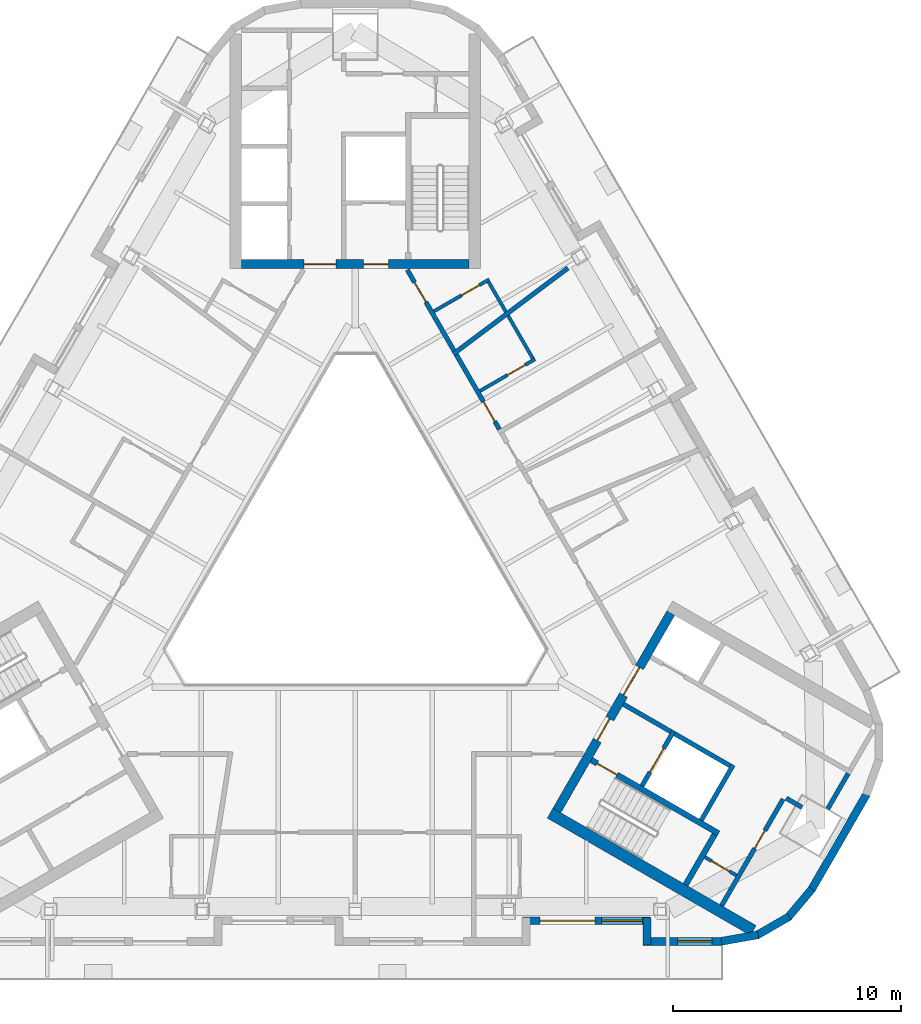
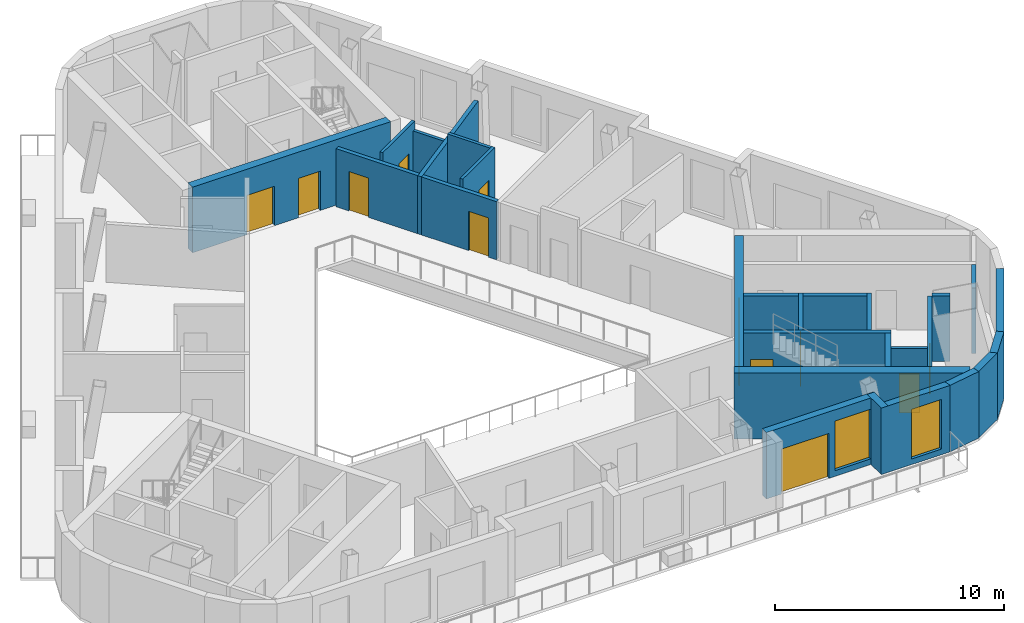
# One storey, part 5 of 11: 27 walls, 13 doors, 2 windows, 15 openings.
"""IFC4 building model written with IfcOpenShell, lengths in metres."""

import ifcopenshell
import ifcopenshell.guid

model = None  # the IFC model being written
_history = None  # IfcOwnerHistory: only IFC2X3 demands one
_inside = {}  # id of a spatial element -> (the spatial element, [elements in it])
_under = {}  # id of a project, library or spatial element -> (it, [spatial elements below it])
_declared = {}  # id of a project -> (the project, [libraries it declares])
_typed = {}  # id of a type object -> (the type object, [elements of that type])
_made_of = {}  # id of a material, layer set ... -> (it, [elements and type objects made of it])


def new_model(schema):
    """Start an empty IFC model of exactly this schema.

    Asked for "IFC4X3", IfcOpenShell would pick the latest addendum, in which some entities
    have other attributes; the version numbers below select the first issue.
    IFC2X3 requires an IfcOwnerHistory on every rooted entity: one is made here for all.
    """
    global model, _history
    if schema == "IFC4X3":
        model = ifcopenshell.file(schema_version=(4, 3, 0, 0))
    else:
        model = ifcopenshell.file(schema=schema)
    _inside.clear()
    _under.clear()
    _declared.clear()
    _typed.clear()
    _made_of.clear()
    _history = None
    if model.schema == "IFC2X3":
        org = make("IfcOrganization", Name="unknown")
        user = make(
            "IfcPersonAndOrganization",
            ThePerson=make("IfcPerson", FamilyName="unknown"),
            TheOrganization=org,
        )
        app = make(
            "IfcApplication",
            ApplicationDeveloper=org,
            Version="unknown",
            ApplicationFullName="unknown",
            ApplicationIdentifier="unknown",
        )
        _history = make(
            "IfcOwnerHistory",
            OwningUser=user,
            OwningApplication=app,
            ChangeAction="ADDED",
            CreationDate=0,
        )
    return model


def make(cls, **values):
    """One entity of the class cls with the attributes given. An attribute that is None is left unset."""
    return model.create_entity(
        cls, **{name: value for name, value in values.items() if value is not None}
    )


def rooted(cls, **values):
    """An entity with a GlobalId (a new one), such as an element, a storey or a relation."""
    return make(cls, GlobalId=ifcopenshell.guid.new(), OwnerHistory=_history, **values)


def si_unit(unit_type, name, prefix=None):
    """IfcSIUnit, for example si_unit("LENGTHUNIT", "METRE", prefix="MILLI")."""
    return make("IfcSIUnit", UnitType=unit_type, Prefix=prefix, Name=name)


def assignment(units):
    """IfcUnitAssignment: the units of a project."""
    return None if units is None else make("IfcUnitAssignment", Units=units)


def point(xyz):
    """IfcCartesianPoint."""
    return None if xyz is None else make("IfcCartesianPoint", Coordinates=xyz)


def direction(xyz):
    """IfcDirection."""
    return None if xyz is None else make("IfcDirection", DirectionRatios=xyz)


def frame(location, z_axis=None, x_axis=None):
    """IfcAxis2Placement3D, a coordinate frame: its origin and axes. An axis left out is left unset."""
    return make(
        "IfcAxis2Placement3D",
        Location=point(location),
        Axis=direction(z_axis),
        RefDirection=direction(x_axis),
    )


def frame_2d(location, x_axis=None):
    """IfcAxis2Placement2D, a coordinate frame in the plane: its origin and x axis."""
    return make(
        "IfcAxis2Placement2D", Location=point(location), RefDirection=direction(x_axis)
    )


def origin():
    """The frame at (0, 0, 0) with its axes left unset."""
    return frame((0.0, 0.0, 0.0))


def place(relative_to, where):
    """IfcLocalPlacement: puts the frame where relative to a parent placement (None: the world)."""
    return make(
        "IfcLocalPlacement", PlacementRelTo=relative_to, RelativePlacement=where
    )


def context(
    kind, dimensions, precision=None, world=None, true_north=None, identifier=None
):
    """IfcGeometricRepresentationContext, for example the 3D "Model" context."""
    return make(
        "IfcGeometricRepresentationContext",
        ContextIdentifier=identifier,
        ContextType=kind,
        CoordinateSpaceDimension=dimensions,
        Precision=precision,
        WorldCoordinateSystem=world,
        TrueNorth=true_north,
    )


def subcontext(parent, identifier, kind, view, scale=None):
    """IfcGeometricRepresentationSubContext, for example "Body" below "Model"."""
    return make(
        "IfcGeometricRepresentationSubContext",
        ContextIdentifier=identifier,
        ContextType=kind,
        ParentContext=parent,
        TargetScale=scale,
        TargetView=view,
    )


def project(units=None, contexts=None):
    """IfcProject with its units and contexts."""
    return rooted(
        "IfcProject",
        Name="project",
        RepresentationContexts=contexts,
        UnitsInContext=assignment(units),
    )


def spatial(cls, under=None, at=None, **own):
    """A site, building, storey or space (cls), placed at a placement, below another one or the project."""
    s = rooted(cls, ObjectPlacement=at, **own)
    if under is not None:
        _under.setdefault(under.id(), (under, []))[1].append(s)
    return s


def profile(cls, at=None, kind="AREA", **sizes):
    """A parametric profile (cls). Its sizes go by their IFC names, for example OverallWidth=200.0."""
    return make(cls, ProfileType=kind, Position=at, **sizes)


def rectangle(**sizes):
    """IfcRectangleProfileDef."""
    return profile("IfcRectangleProfileDef", **sizes)


def extrude(swept, where, along, depth):
    """IfcExtrudedAreaSolid: the profile swept, set in the frame where, extruded along a direction by depth."""
    return make(
        "IfcExtrudedAreaSolid",
        SweptArea=swept,
        Position=where,
        ExtrudedDirection=direction(along),
        Depth=depth,
    )


def shape(context_of_items, identifier, shape_type, items):
    """IfcShapeRepresentation: the items that make up one representation, for example the "Body"."""
    return make(
        "IfcShapeRepresentation",
        ContextOfItems=context_of_items,
        RepresentationIdentifier=identifier,
        RepresentationType=shape_type,
        Items=items,
    )


def material(Name=None, Category=None):
    """IfcMaterial."""
    return make("IfcMaterial", Name=Name, Category=Category)


def layer(
    of_material, thickness, ventilated=None, Name=None, Category=None, Priority=None
):
    """IfcMaterialLayer: one layer of a wall or slab, of a material (None: an air gap)."""
    return make(
        "IfcMaterialLayer",
        Material=of_material,
        LayerThickness=thickness,
        IsVentilated=ventilated,
        Name=Name,
        Category=Category,
        Priority=Priority,
    )


def layer_set(layers, Name=None):
    """IfcMaterialLayerSet."""
    return make("IfcMaterialLayerSet", MaterialLayers=layers, LayerSetName=Name)


def made_of(thing, what):
    """Note that an element or type object is made of a material, layer set ...; save() writes the relation."""
    if what is not None:
        _made_of.setdefault(what.id(), (what, []))[1].append(thing)
    return thing


def type_object(cls, material=None, **own):
    """A type object (cls), such as IfcWallType, which elements share."""
    return made_of(rooted(cls, **own), material)


def element(
    cls,
    number,
    at=None,
    inside=None,
    cuts=None,
    type_object=None,
    material=None,
    context=None,
    identifier="Body",
    shape_type=None,
    held_by="IfcProductDefinitionShape",
    body=None,
    shapes=None,
    **own,
):
    """One element of the class cls, such as IfcWall. Its Tag is "e" and its number.

    at: its placement. inside: the storey or other place that contains it. cuts: it is an
    opening in that element (IfcRelVoidsElement). A single representation is given by context,
    identifier, shape_type and body (its items); several are given by shapes. held_by: the class
    of the entity that holds the representations. save() writes the other relations.
    """
    e = rooted(cls, Tag="e%d" % number, ObjectPlacement=at, **own)
    if body is not None:
        shapes = [shape(context, identifier, shape_type, body)]
    if shapes is not None:
        e.Representation = make(held_by, Representations=shapes)
    if inside is not None:
        _inside.setdefault(inside.id(), (inside, []))[1].append(e)
    if cuts is not None:
        rooted(
            "IfcRelVoidsElement", RelatingBuildingElement=cuts, RelatedOpeningElement=e
        )
    if type_object is not None:
        _typed.setdefault(type_object.id(), (type_object, []))[1].append(e)
    return made_of(e, material)


def fill(opening, filler):
    """IfcRelFillsElement: the door or window that sits in an opening."""
    return rooted(
        "IfcRelFillsElement",
        RelatingOpeningElement=opening,
        RelatedBuildingElement=filler,
    )


def aggregate(whole, parts):
    """IfcRelAggregates: a whole, such as a stair, and the parts it consists of."""
    return rooted("IfcRelAggregates", RelatingObject=whole, RelatedObjects=parts)


def save(model, path):
    """Write the relations noted so far, then the file.

    IfcRelAggregates (storeys below a building ...), IfcRelContainedInSpatialStructure (elements
    in a storey), IfcRelDefinesByType, IfcRelAssociatesMaterial and IfcRelDeclares: one each for
    every whole, place, type object, material and project.
    """
    for whole, parts in _under.values():
        aggregate(whole, parts)
    for where, things in _inside.values():
        rooted(
            "IfcRelContainedInSpatialStructure",
            RelatedElements=things,
            RelatingStructure=where,
        )
    for kind, things in _typed.values():
        rooted("IfcRelDefinesByType", RelatedObjects=things, RelatingType=kind)
    for what, things in _made_of.values():
        rooted("IfcRelAssociatesMaterial", RelatedObjects=things, RelatingMaterial=what)
    for by, libraries in _declared.values():
        rooted("IfcRelDeclares", RelatingContext=by, RelatedDefinitions=libraries)
    model.write(path)


model = new_model("IFC4")

# Units and contexts
model_context = context("Model", 3, precision=1e-05, world=origin(), true_north=direction((0.0, 1.0)))
body_context = subcontext(model_context, "Body", "Model", "MODEL_VIEW")
ifc_project = project(units=[si_unit("LENGTHUNIT", "METRE"), si_unit("AREAUNIT", "SQUARE_METRE"), si_unit("VOLUMEUNIT", "CUBIC_METRE"), si_unit("PLANEANGLEUNIT", "RADIAN"), si_unit("MASSUNIT", "GRAM", prefix="KILO")], contexts=[model_context])

# Site, building, storey
site_placement = place(None, origin())
site = spatial("IfcSite", under=ifc_project, at=site_placement, CompositionType="ELEMENT")
building_placement = place(site_placement, origin())
building = spatial("IfcBuilding", under=site, at=building_placement, Name="Apuvela Tower Hotel", CompositionType="ELEMENT")
storey_placement = place(building_placement, frame((0.0, 0.0, 309.60009765625)))
storey = spatial("IfcBuildingStorey", under=building, at=storey_placement, Name="L77", CompositionType="ELEMENT", Elevation=309.60009765625)

# Wall, openings, doors
ifc_material_1 = material(Name="Concrete C50/60", Category="concrete")
ifc_layer_1 = layer(ifc_material_1, 0.39990234375)
ifc_layer_set_1 = layer_set([ifc_layer_1], Name="COR-WALL-CORE-400")
wall_type_1 = type_object("IfcWallType", Name="COR-WALL-CORE-400", PredefinedType="SHEAR", material=ifc_layer_set_1)
wall_1_placement = place(storey_placement, frame((5.0, 13.10009765625, 0.0), z_axis=(0.0, 0.0, 1.0), x_axis=(-1.0, 0.0, 0.0)))
wall_1 = element("IfcWall", 1, at=wall_1_placement, inside=storey, type_object=wall_type_1, Name="Core wall N", PredefinedType="SHEAR", context=body_context, shape_type="SweptSolid", body=[
    extrude(rectangle(XDim=10.0, YDim=0.39990234375, at=frame_2d((5.0, 0.0))), origin(), (0.0, 0.0, 1.0), 3.5),
])
opening_1_placement = place(wall_1_placement, frame((3.550048828125, 0.0, 0.0)))
opening_1 = element("IfcOpeningElement", 2, at=opening_1_placement, cuts=wall_1, Name="Opening N-FD", PredefinedType="OPENING", context=body_context, shape_type="SweptSolid", body=[
    extrude(rectangle(XDim=1.10009765625, YDim=2.10009765625, at=frame_2d((0.550048828125, 1.050048828125))), frame((0.0, 0.2099609375, 0.0), z_axis=(0.0, -1.0, 0.0), x_axis=(1.0, 0.0, 0.0)), (0.0, 0.0, 1.0), 0.419921875),
])
opening_2_placement = place(wall_1_placement, frame((5.85009765625, 0.0, 0.0)))
opening_2 = element("IfcOpeningElement", 3, at=opening_2_placement, cuts=wall_1, Name="Opening N-GD", PredefinedType="OPENING", context=body_context, shape_type="SweptSolid", body=[
    extrude(rectangle(XDim=1.39990234375, YDim=2.10009765625, at=frame_2d((0.699951171875, 1.050048828125))), frame((0.0, 0.2099609375, 0.0), z_axis=(0.0, -1.0, 0.0), x_axis=(1.0, 0.0, 0.0)), (0.0, 0.0, 1.0), 0.419921875),
])
ifc_material_2 = material(Name="Steel fire door, powder coated", Category="steel")
door_type_1 = type_object("IfcDoorType", Name="COR-FD-1100", OperationType="NOTDEFINED", PredefinedType="DOOR", material=ifc_material_2)
door_1_placement = place(opening_1_placement, frame((1.10009765625, 0.0, 0.0), z_axis=(0.0, 0.0, 1.0), x_axis=(-1.0, 0.0, 0.0)))
door_1 = element("IfcDoor", 4, at=door_1_placement, inside=storey, type_object=door_type_1, Name="Firefighting lobby door N-FD", OperationType="SINGLE_SWING_LEFT", OverallHeight=2.10009765625, OverallWidth=1.10009765625, PredefinedType="DOOR", context=body_context, shape_type="SweptSolid", body=[
    extrude(rectangle(XDim=1.10009765625, YDim=2.10009765625, at=frame_2d((0.550048828125, 1.050048828125))), frame((0.0, 0.02490234375, 0.0), z_axis=(0.0, -1.0, 0.0), x_axis=(1.0, 0.0, 0.0)), (0.0, 0.0, 1.0), 0.050048828125),
])
fill(opening_1, door_1)
ifc_material_3 = material(Name="Glazed steel fire door", Category="steel")
door_type_2 = type_object("IfcDoorType", Name="COR-GD-1400", OperationType="DOUBLE_DOOR_SINGLE_SWING", PredefinedType="DOOR", material=ifc_material_3)
door_2_placement = place(opening_2_placement, frame((1.39990234375, 0.0, 0.0), z_axis=(0.0, 0.0, 1.0), x_axis=(-1.0, 0.0, 0.0)))
door_2 = element("IfcDoor", 5, at=door_2_placement, inside=storey, type_object=door_type_2, Name="Lift lobby door N-GD", OperationType="DOUBLE_DOOR_SINGLE_SWING", OverallHeight=2.10009765625, OverallWidth=1.39990234375, PredefinedType="DOOR", context=body_context, shape_type="SweptSolid", body=[
    extrude(rectangle(XDim=1.39990234375, YDim=2.10009765625, at=frame_2d((0.699951171875, 1.050048828125))), frame((0.0, 0.02490234375, 0.0), z_axis=(0.0, -1.0, 0.0), x_axis=(1.0, 0.0, 0.0)), (0.0, 0.0, 1.0), 0.050048828125),
])
fill(opening_2, door_2)

wall_2_placement = place(storey_placement, frame((8.844970703125, -10.880126953125, 0.0), z_axis=(0.0, 0.0, 1.0), x_axis=(0.500004234368, 0.866022959057, 0.0)))
wall_2 = element("IfcWall", 6, at=wall_2_placement, inside=storey, type_object=wall_type_1, Name="Core wall SE", PredefinedType="SHEAR", context=body_context, shape_type="SweptSolid", body=[
    extrude(rectangle(XDim=10.0, YDim=0.39990234375, at=frame_2d((5.0, 0.0))), origin(), (0.0, 0.0, 1.0), 3.5),
])
opening_3_placement = place(wall_2_placement, frame((3.550048828125, 0.0, 0.0)))
opening_3 = element("IfcOpeningElement", 7, at=opening_3_placement, cuts=wall_2, Name="Opening E-FD", PredefinedType="OPENING", context=body_context, shape_type="SweptSolid", body=[
    extrude(rectangle(XDim=1.10009765625, YDim=2.10009765625, at=frame_2d((0.550048828125, 1.050048828125))), frame((0.0, 0.2099609375, 0.0), z_axis=(0.0, -1.0, 0.0), x_axis=(1.0, 0.0, 0.0)), (0.0, 0.0, 1.0), 0.419921875),
])
opening_4_placement = place(wall_2_placement, frame((5.85009765625, 0.0, 0.0)))
opening_4 = element("IfcOpeningElement", 8, at=opening_4_placement, cuts=wall_2, Name="Opening E-GD", PredefinedType="OPENING", context=body_context, shape_type="SweptSolid", body=[
    extrude(rectangle(XDim=1.39990234375, YDim=2.10009765625, at=frame_2d((0.699951171875, 1.050048828125))), frame((0.0, 0.2099609375, 0.0), z_axis=(0.0, -1.0, 0.0), x_axis=(1.0, 0.0, 0.0)), (0.0, 0.0, 1.0), 0.419921875),
])
door_3_placement = place(opening_3_placement, frame((1.10009765625, 0.0, 0.0), z_axis=(0.0, 0.0, 1.0), x_axis=(-1.0, 0.0, 0.0)))
door_3 = element("IfcDoor", 9, at=door_3_placement, inside=storey, type_object=door_type_1, Name="Firefighting lobby door E-FD", OperationType="SINGLE_SWING_LEFT", OverallHeight=2.10009765625, OverallWidth=1.10009765625, PredefinedType="DOOR", context=body_context, shape_type="SweptSolid", body=[
    extrude(rectangle(XDim=1.10009765625, YDim=2.10009765625, at=frame_2d((0.550048828125, 1.050048828125))), frame((0.0, 0.02490234375, 0.0), z_axis=(0.0, -1.0, 0.0), x_axis=(1.0, 0.0, 0.0)), (0.0, 0.0, 1.0), 0.050048828125),
])
fill(opening_3, door_3)
door_4_placement = place(opening_4_placement, frame((1.39990234375, 0.0, 0.0), z_axis=(0.0, 0.0, 1.0), x_axis=(-1.0, 0.0, 0.0)))
door_4 = element("IfcDoor", 10, at=door_4_placement, inside=storey, type_object=door_type_2, Name="Lift lobby door E-GD", OperationType="DOUBLE_DOOR_SINGLE_SWING", OverallHeight=2.10009765625, OverallWidth=1.39990234375, PredefinedType="DOOR", context=body_context, shape_type="SweptSolid", body=[
    extrude(rectangle(XDim=1.39990234375, YDim=2.10009765625, at=frame_2d((0.699951171875, 1.050048828125))), frame((0.0, 0.02490234375, 0.0), z_axis=(0.0, -1.0, 0.0), x_axis=(1.0, 0.0, 0.0)), (0.0, 0.0, 1.0), 0.050048828125),
])
fill(opening_4, door_4)

# Wall
ifc_layer_2 = layer(ifc_material_1, 0.5)
ifc_layer_set_2 = layer_set([ifc_layer_2], Name="COR-WALL-CORE-500")
wall_type_2 = type_object("IfcWallType", Name="COR-WALL-CORE-500", PredefinedType="SHEAR", material=ifc_layer_set_2)
wall_3_placement = place(storey_placement, frame((8.546630859375, -10.99658203125, 0.0), z_axis=(0.0, 0.0, 1.0), x_axis=(0.866027279078, -0.499996751883, 0.0)))
element("IfcWall", 11, at=wall_3_placement, inside=storey, type_object=wall_type_2, Name="Core wall SE", PredefinedType="SHEAR", context=body_context, shape_type="SweptSolid", body=[
    extrude(rectangle(XDim=10.29833984375, YDim=0.5, at=frame_2d((5.149169921875, 0.0))), origin(), (0.0, 0.0, 1.0), 3.5),
])

# Wall, opening, door
ifc_material_4 = material(Name="Blockwork 150 mm plastered", Category="masonry")
ifc_layer_3 = layer(ifc_material_4, 0.14990234375)
ifc_layer_set_3 = layer_set([ifc_layer_3], Name="COR-WALL-PART-150")
wall_type_3 = type_object("IfcWallType", Name="COR-WALL-PART-150", PredefinedType="PARTITIONING", material=ifc_layer_set_3)
wall_4_placement = place(storey_placement, frame((15.341552734375, -12.927734375, 0.0), z_axis=(0.0, 0.0, 1.0), x_axis=(0.865989903783, -0.500061482766, 0.0)))
wall_4 = element("IfcWall", 12, at=wall_4_placement, inside=storey, type_object=wall_type_3, Name="Partition SE", PredefinedType="PARTITIONING", context=body_context, shape_type="SweptSolid", body=[
    extrude(rectangle(XDim=1.599853515625, YDim=0.14990234375, at=frame_2d((0.7998046875, 0.0))), origin(), (0.0, 0.0, 1.0), 3.5),
])
opening_5_placement = place(wall_4_placement, frame((0.35009765625, 0.0, 0.0)))
opening_5 = element("IfcOpeningElement", 13, at=opening_5_placement, cuts=wall_4, Name="Opening E-RD", PredefinedType="OPENING", context=body_context, shape_type="SweptSolid", body=[
    extrude(rectangle(XDim=0.89990234375, YDim=2.10009765625, at=frame_2d((0.449951171875, 1.050048828125))), frame((0.0, 0.0849609375, 0.0), z_axis=(0.0, -1.0, 0.0), x_axis=(1.0, 0.0, 0.0)), (0.0, 0.0, 1.0), 0.169921875),
])
ifc_material_5 = material(Name="Steel access door, powder coated", Category="steel")
door_type_3 = type_object("IfcDoorType", Name="COR-RD-900", OperationType="NOTDEFINED", PredefinedType="DOOR", material=ifc_material_5)
door_5_placement = place(opening_5_placement, frame((0.89990234375, 0.0, 0.0), z_axis=(0.0, 0.0, 1.0), x_axis=(-1.0, 0.0, 0.0)))
door_5 = element("IfcDoor", 14, at=door_5_placement, inside=storey, type_object=door_type_3, Name="Riser door E-RD", OperationType="SINGLE_SWING_LEFT", OverallHeight=2.10009765625, OverallWidth=0.89990234375, PredefinedType="DOOR", context=body_context, shape_type="SweptSolid", body=[
    extrude(rectangle(XDim=0.89990234375, YDim=2.10009765625, at=frame_2d((0.449951171875, 1.050048828125))), frame((0.0, 0.02490234375, 0.0), z_axis=(0.0, -1.0, 0.0), x_axis=(1.0, 0.0, 0.0)), (0.0, 0.0, 1.0), 0.050048828125),
])
fill(opening_5, door_5)

ifc_material_6 = material(Name="Blockwork 200 mm plastered", Category="masonry")
ifc_layer_4 = layer(ifc_material_6, 0.199951171875)
ifc_layer_set_4 = layer_set([ifc_layer_4], Name="COR-WALL-PART-200")
wall_type_4 = type_object("IfcWallType", Name="COR-WALL-PART-200", PredefinedType="PARTITIONING", material=ifc_layer_set_4)
wall_5_placement = place(storey_placement, frame((16.076171875, -15.05517578125, 0.0), z_axis=(0.0, 0.0, 1.0), x_axis=(0.499995103361, 0.866028230842, 0.0)))
wall_5 = element("IfcWall", 15, at=wall_5_placement, inside=storey, type_object=wall_type_4, Name="Partition SE", PredefinedType="PARTITIONING", context=body_context, shape_type="SweptSolid", body=[
    extrude(rectangle(XDim=5.39990234375, YDim=0.199951171875, at=frame_2d((2.699951171875, 0.0))), origin(), (0.0, 0.0, 1.0), 3.5),
])
opening_6_placement = place(wall_5_placement, frame((2.89990234375, 0.0, 0.0)))
opening_6 = element("IfcOpeningElement", 16, at=opening_6_placement, cuts=wall_5, Name="Opening E-RS1", PredefinedType="OPENING", context=body_context, shape_type="SweptSolid", body=[
    extrude(rectangle(XDim=0.89990234375, YDim=2.10009765625, at=frame_2d((0.449951171875, 1.050048828125))), frame((0.0, 0.10986328125, 0.0), z_axis=(0.0, -1.0, 0.0), x_axis=(1.0, 0.0, 0.0)), (0.0, 0.0, 1.0), 0.219970703125),
])
door_type_4 = type_object("IfcDoorType", Name="COR-DR-900", OperationType="NOTDEFINED", PredefinedType="DOOR", material=ifc_material_2)
door_6_placement = place(opening_6_placement, frame((0.89990234375, 0.0, 0.0), z_axis=(0.0, 0.0, 1.0), x_axis=(-1.0, 0.0, 0.0)))
door_6 = element("IfcDoor", 17, at=door_6_placement, inside=storey, type_object=door_type_4, Name="Store door E-RS1", OperationType="SINGLE_SWING_LEFT", OverallHeight=2.10009765625, OverallWidth=0.89990234375, PredefinedType="DOOR", context=body_context, shape_type="SweptSolid", body=[
    extrude(rectangle(XDim=0.89990234375, YDim=2.10009765625, at=frame_2d((0.449951171875, 1.050048828125))), frame((0.0, 0.02490234375, 0.0), z_axis=(0.0, -1.0, 0.0), x_axis=(1.0, 0.0, 0.0)), (0.0, 0.0, 1.0), 0.050048828125),
])
fill(opening_6, door_6)

# Wall
ifc_layer_5 = layer(ifc_material_1, 0.199951171875)
ifc_layer_set_5 = layer_set([ifc_layer_5], Name="COR-WALL-SHAFT-200")
wall_type_5 = type_object("IfcWallType", Name="COR-WALL-SHAFT-200", PredefinedType="SHEAR", material=ifc_layer_set_5)
wall_6_placement = place(storey_placement, frame((15.181396484375, -11.305419921875, 0.0), z_axis=(0.0, 0.0, 1.0), x_axis=(0.49994636267, 0.866056369097, 0.0)))
element("IfcWall", 18, at=wall_6_placement, inside=storey, type_object=wall_type_5, Name="Shaft wall SE", PredefinedType="SHEAR", context=body_context, shape_type="SweptSolid", body=[
    extrude(rectangle(XDim=2.800048828125, YDim=0.199951171875, at=frame_2d((1.39990234375, 0.0))), origin(), (0.0, 0.0, 1.0), 3.5),
])

# Wall, opening, door
wall_7_placement = place(storey_placement, frame((12.583251953125, -9.805419921875, 0.0), z_axis=(0.0, 0.0, 1.0), x_axis=(0.49994636267, 0.866056369097, 0.0)))
wall_7 = element("IfcWall", 19, at=wall_7_placement, inside=storey, type_object=wall_type_5, Name="Shaft wall SE", PredefinedType="SHEAR", context=body_context, shape_type="SweptSolid", body=[
    extrude(rectangle(XDim=2.800048828125, YDim=0.199951171875, at=frame_2d((1.39990234375, 0.0))), origin(), (0.0, 0.0, 1.0), 3.5),
])
opening_7_placement = place(wall_7_placement, frame((0.699951171875, 0.0, 0.0)))
opening_7 = element("IfcOpeningElement", 20, at=opening_7_placement, cuts=wall_7, Name="Opening E-LD-FS3", PredefinedType="OPENING", context=body_context, shape_type="SweptSolid", body=[
    extrude(rectangle(XDim=1.199951171875, YDim=2.10009765625, at=frame_2d((0.60009765625, 1.050048828125))), frame((0.0, 0.10986328125, 0.0), z_axis=(0.0, -1.0, 0.0), x_axis=(1.0, 0.0, 0.0)), (0.0, 0.0, 1.0), 0.219970703125),
])
ifc_material_7 = material(Name="Stainless steel lift landing door", Category="steel")
door_type_5 = type_object("IfcDoorType", Name="COR-LD-1200", OperationType="DOUBLE_DOOR_SLIDING", PredefinedType="DOOR", material=ifc_material_7)
door_7_placement = place(opening_7_placement, origin())
door_7 = element("IfcDoor", 21, at=door_7_placement, inside=storey, type_object=door_type_5, Name="Lift landing door E-LD-FS3", OperationType="DOUBLE_DOOR_SLIDING", OverallHeight=2.10009765625, OverallWidth=1.199951171875, PredefinedType="DOOR", context=body_context, shape_type="SweptSolid", body=[
    extrude(rectangle(XDim=1.199951171875, YDim=2.10009765625, at=frame_2d((0.60009765625, 1.050048828125))), frame((0.0, 0.02490234375, 0.0), z_axis=(0.0, -1.0, 0.0), x_axis=(1.0, 0.0, 0.0)), (0.0, 0.0, 1.0), 0.050048828125),
])
fill(opening_7, door_7)

# Walls
wall_8_placement = place(storey_placement, frame((11.76806640625, -6.217041015625, 0.0), z_axis=(0.0, 0.0, 1.0), x_axis=(0.866050077142, -0.499957262057, 0.0)))
element("IfcWall", 22, at=wall_8_placement, inside=storey, type_object=wall_type_5, Name="Shaft wall SE", PredefinedType="SHEAR", context=body_context, shape_type="SweptSolid", body=[
    extrude(rectangle(XDim=2.400146484375, YDim=0.199951171875, at=frame_2d((1.2001953125, 0.0))), origin(), (0.0, 0.0, 1.0), 3.5),
])
wall_9_placement = place(storey_placement, frame((14.019775390625, -7.51708984375, 0.0), z_axis=(0.0, 0.0, 1.0), x_axis=(0.866034573852, -0.49998411664, 0.0)))
element("IfcWall", 23, at=wall_9_placement, inside=storey, type_object=wall_type_5, Name="Shaft wall SE", PredefinedType="SHEAR", context=body_context, shape_type="SweptSolid", body=[
    extrude(rectangle(XDim=2.7998046875, YDim=0.199951171875, at=frame_2d((1.39990234375, 0.0))), origin(), (0.0, 0.0, 1.0), 3.5),
])
wall_10_placement = place(storey_placement, frame((20.73046875, -10.81396484375, 0.0), z_axis=(0.0, 0.0, 1.0), x_axis=(0.499961193289, 0.866047807691, 0.0)))
element("IfcWall", 24, at=wall_10_placement, inside=storey, type_object=wall_type_5, Name="Shaft wall SE", PredefinedType="SHEAR", context=body_context, shape_type="SweptSolid", body=[
    extrude(rectangle(XDim=1.800048828125, YDim=0.199951171875, at=frame_2d((0.89990234375, 0.0))), origin(), (0.0, 0.0, 1.0), 3.5),
])
wall_11_placement = place(storey_placement, frame((18.912841796875, -10.342041015625, 0.0), z_axis=(0.0, 0.0, 1.0), x_axis=(0.86597493103, -0.500087411186, 0.0)))
element("IfcWall", 25, at=wall_11_placement, inside=storey, type_object=wall_type_5, Name="Shaft wall SE", PredefinedType="SHEAR", context=body_context, shape_type="SweptSolid", body=[
    extrude(rectangle(XDim=0.791259765625, YDim=0.199951171875, at=frame_2d((0.3955078125, 0.0))), origin(), (0.0, 0.0, 1.0), 3.5),
])

# Wall, opening, door
ifc_layer_6 = layer(ifc_material_1, 0.25)
ifc_layer_set_6 = layer_set([ifc_layer_6], Name="COR-WALL-STAIR-250")
wall_type_6 = type_object("IfcWallType", Name="COR-WALL-STAIR-250", PredefinedType="SHEAR", material=ifc_layer_set_6)
wall_12_placement = place(storey_placement, frame((10.355712890625, -8.66357421875, 0.0), z_axis=(0.0, 0.0, 1.0), x_axis=(0.866028629588, -0.499994412703, 0.0)))
wall_12 = element("IfcWall", 26, at=wall_12_placement, inside=storey, type_object=wall_type_6, Name="Stair wall SE", PredefinedType="SHEAR", context=body_context, shape_type="SweptSolid", body=[
    extrude(rectangle(XDim=6.44970703125, YDim=0.25, at=frame_2d((3.224853515625, 0.0))), origin(), (0.0, 0.0, 1.0), 3.5),
])
opening_8_placement = place(wall_12_placement, frame((0.300048828125, 0.0, 0.0)))
opening_8 = element("IfcOpeningElement", 27, at=opening_8_placement, cuts=wall_12, Name="Opening E-SD", PredefinedType="OPENING", context=body_context, shape_type="SweptSolid", body=[
    extrude(rectangle(XDim=1.0, YDim=2.10009765625, at=frame_2d((0.5, 1.050048828125))), frame((0.0, 0.135009765625, 0.0), z_axis=(0.0, -1.0, 0.0), x_axis=(1.0, 0.0, 0.0)), (0.0, 0.0, 1.0), 0.27001953125),
])
door_type_6 = type_object("IfcDoorType", Name="COR-SD-1000", OperationType="NOTDEFINED", PredefinedType="DOOR", material=ifc_material_2)
door_8_placement = place(opening_8_placement, frame((1.0, 0.0, 0.0), z_axis=(0.0, 0.0, 1.0), x_axis=(-1.0, 0.0, 0.0)))
door_8 = element("IfcDoor", 28, at=door_8_placement, inside=storey, type_object=door_type_6, Name="Stair door E-SD", OperationType="SINGLE_SWING_LEFT", OverallHeight=2.10009765625, OverallWidth=1.0, PredefinedType="DOOR", context=body_context, shape_type="SweptSolid", body=[
    extrude(rectangle(XDim=1.0, YDim=2.10009765625, at=frame_2d((0.5, 1.050048828125))), frame((0.0, 0.02490234375, 0.0), z_axis=(0.0, -1.0, 0.0), x_axis=(1.0, 0.0, 0.0)), (0.0, 0.0, 1.0), 0.050048828125),
])
fill(opening_8, door_8)

# Wall
wall_13_placement = place(storey_placement, frame((14.49560546875, -14.142578125, 0.0), z_axis=(0.0, 0.0, 1.0), x_axis=(0.500062241894, 0.865989465428, 0.0)))
element("IfcWall", 29, at=wall_13_placement, inside=storey, type_object=wall_type_6, Name="Stair wall SE", PredefinedType="SHEAR", context=body_context, shape_type="SweptSolid", body=[
    extrude(rectangle(XDim=2.550048828125, YDim=0.25, at=frame_2d((1.27490234375, 0.0))), origin(), (0.0, 0.0, 1.0), 3.5),
])

# Wall, openings, door, window
ifc_material_8 = material(Name="Concrete C40/50, dark pigmented precast panel", Category="concrete")
ifc_layer_7 = layer(ifc_material_8, 0.35009765625)
ifc_layer_set_7 = layer_set([ifc_layer_7], Name="ENV-WALL-350")
wall_type_7 = type_object("IfcWallType", Name="ENV-WALL-350", PredefinedType="SOLIDWALL", material=ifc_layer_set_7)
wall_14_placement = place(storey_placement, frame((7.3388671875, -15.719482421875, 0.0), z_axis=(0.0, 0.0, 1.0), x_axis=(1.0, 0.0, 0.0)))
wall_14 = element("IfcWall", 30, at=wall_14_placement, inside=storey, type_object=wall_type_7, Name="External wall L77-23", PredefinedType="SOLIDWALL", context=body_context, shape_type="SweptSolid", body=[
    extrude(rectangle(XDim=5.598876953125, YDim=0.35009765625, at=frame_2d((2.79931640625, 0.0))), origin(), (0.0, 0.0, 1.0), 3.5498046875),
])
opening_9_placement = place(wall_14_placement, frame((0.77001953125, 0.0, 0.0)))
opening_9 = element("IfcOpeningElement", 31, at=opening_9_placement, cuts=wall_14, Name="Opening BD24", PredefinedType="OPENING", context=body_context, shape_type="SweptSolid", body=[
    extrude(rectangle(XDim=2.39990234375, YDim=2.39990234375, at=frame_2d((1.199951171875, 1.199951171875))), frame((0.0, 0.18505859375, 0.0), z_axis=(0.0, -1.0, 0.0), x_axis=(1.0, 0.0, 0.0)), (0.0, 0.0, 1.0), 0.3701171875),
])
opening_10_placement = place(wall_14_placement, frame((3.469970703125, 0.0, 0.300048828125)))
opening_10 = element("IfcOpeningElement", 32, at=opening_10_placement, cuts=wall_14, Name="Opening WN18", PredefinedType="OPENING", context=body_context, shape_type="SweptSolid", body=[
    extrude(rectangle(XDim=1.800048828125, YDim=2.64990234375, at=frame_2d((0.89990234375, 1.324951171875))), frame((0.0, 0.18505859375, 0.0), z_axis=(0.0, -1.0, 0.0), x_axis=(1.0, 0.0, 0.0)), (0.0, 0.0, 1.0), 0.3701171875),
])
ifc_material_9 = material(Name="Aluminium 6063-T6, dark bronze anodised frame with dark tinted laminated glass", Category="aluminium")
door_type_7 = type_object("IfcDoorType", Name="ENV-DOOR-BALCONY-2400x2400", OperationType="SLIDING_TO_LEFT", PredefinedType="DOOR", material=ifc_material_9)
door_9_placement = place(opening_9_placement, frame((2.39990234375, 0.0, 0.0), z_axis=(0.0, 0.0, 1.0), x_axis=(-1.0, 0.0, 0.0)))
door_9 = element("IfcDoor", 33, at=door_9_placement, inside=storey, type_object=door_type_7, Name="Balcony door BD24", OperationType="SLIDING_TO_LEFT", OverallHeight=2.39990234375, OverallWidth=2.39990234375, PredefinedType="DOOR", context=body_context, shape_type="SweptSolid", body=[
    extrude(rectangle(XDim=2.39990234375, YDim=2.39990234375, at=frame_2d((1.199951171875, 1.199951171875))), frame((0.0, 0.02490234375, 0.0), z_axis=(0.0, -1.0, 0.0), x_axis=(1.0, 0.0, 0.0)), (0.0, 0.0, 1.0), 0.050048828125),
])
fill(opening_9, door_9)
ifc_material_10 = material(Name="Glass, dark tinted laminated insulated glazing unit", Category="glass")
window_type_1 = type_object("IfcWindowType", Name="ENV-WIN-1800x2650", PartitioningType="SINGLE_PANEL", PredefinedType="WINDOW", material=ifc_material_10)
window_1_placement = place(opening_10_placement, origin())
window_1 = element("IfcWindow", 34, at=window_1_placement, inside=storey, type_object=window_type_1, Name="Window WN18", OverallHeight=2.64990234375, OverallWidth=1.800048828125, PartitioningType="SINGLE_PANEL", PredefinedType="WINDOW", context=body_context, shape_type="SweptSolid", body=[
    extrude(rectangle(XDim=1.800048828125, YDim=2.64990234375, at=frame_2d((0.89990234375, 1.324951171875))), frame((0.0, 0.030029296875, 0.0), z_axis=(0.0, -1.0, 0.0), x_axis=(1.0, 0.0, 0.0)), (0.0, 0.0, 1.0), 0.06005859375),
])
fill(opening_10, window_1)

# Wall
wall_15_placement = place(storey_placement, frame((12.792724609375, -15.57470703125, 0.0), z_axis=(0.0, 0.0, 1.0), x_axis=(0.0, -1.0, 0.0)))
element("IfcWall", 35, at=wall_15_placement, inside=storey, type_object=wall_type_7, Name="External wall L77-24", PredefinedType="SOLIDWALL", context=body_context, shape_type="SweptSolid", body=[
    extrude(rectangle(XDim=1.219970703125, YDim=0.35009765625, at=frame_2d((0.60986328125, 0.0))), origin(), (0.0, 0.0, 1.0), 3.5498046875),
])

# Wall, opening, window
wall_16_placement = place(storey_placement, frame((12.617919921875, -16.61962890625, 0.0), z_axis=(0.0, 0.0, 1.0), x_axis=(1.0, 0.0, 0.0)))
wall_16 = element("IfcWall", 36, at=wall_16_placement, inside=storey, type_object=wall_type_7, Name="External wall L77-25", PredefinedType="SOLIDWALL", context=body_context, shape_type="SweptSolid", body=[
    extrude(rectangle(XDim=3.47998046875, YDim=0.35009765625, at=frame_2d((1.739990234375, 0.0))), origin(), (0.0, 0.0, 1.0), 3.5498046875),
])
opening_11_placement = place(wall_16_placement, frame((1.530029296875, 0.0, 0.300048828125)))
opening_11 = element("IfcOpeningElement", 37, at=opening_11_placement, cuts=wall_16, Name="Opening WN15", PredefinedType="OPENING", context=body_context, shape_type="SweptSolid", body=[
    extrude(rectangle(XDim=1.5, YDim=2.64990234375, at=frame_2d((0.75, 1.324951171875))), frame((0.0, 0.18505859375, 0.0), z_axis=(0.0, -1.0, 0.0), x_axis=(1.0, 0.0, 0.0)), (0.0, 0.0, 1.0), 0.3701171875),
])
window_type_2 = type_object("IfcWindowType", Name="ENV-WIN-1500x2650", PartitioningType="SINGLE_PANEL", PredefinedType="WINDOW", material=ifc_material_10)
window_2_placement = place(opening_11_placement, origin())
window_2 = element("IfcWindow", 38, at=window_2_placement, inside=storey, type_object=window_type_2, Name="Window WN15", OverallHeight=2.64990234375, OverallWidth=1.5, PartitioningType="SINGLE_PANEL", PredefinedType="WINDOW", context=body_context, shape_type="SweptSolid", body=[
    extrude(rectangle(XDim=1.5, YDim=2.64990234375, at=frame_2d((0.75, 1.324951171875))), frame((0.0, 0.030029296875, 0.0), z_axis=(0.0, -1.0, 0.0), x_axis=(1.0, 0.0, 0.0)), (0.0, 0.0, 1.0), 0.06005859375),
])
fill(opening_11, window_2)

# Walls
wall_17_placement = place(storey_placement, frame((16.067626953125, -16.622314453125, 0.0), z_axis=(0.0, 0.0, 1.0), x_axis=(0.98479107762, 0.173742721977, 0.0)))
element("IfcWall", 39, at=wall_17_placement, inside=storey, type_object=wall_type_7, Name="External wall L77-26", PredefinedType="SOLIDWALL", context=body_context, shape_type="SweptSolid", body=[
    extrude(rectangle(XDim=1.63427734375, YDim=0.35009765625, at=frame_2d((0.817138671875, 0.0))), origin(), (0.0, 0.0, 1.0), 3.5498046875),
])
wall_18_placement = place(storey_placement, frame((17.619873046875, -16.359130859375, 0.0), z_axis=(0.0, 0.0, 1.0), x_axis=(0.866083589932, 0.499899205091, 0.0)))
element("IfcWall", 40, at=wall_18_placement, inside=storey, type_object=wall_type_7, Name="External wall L77-27", PredefinedType="SOLIDWALL", context=body_context, shape_type="SweptSolid", body=[
    extrude(rectangle(XDim=1.634033203125, YDim=0.35009765625, at=frame_2d((0.81689453125, 0.0))), origin(), (0.0, 0.0, 1.0), 3.5498046875),
])
wall_19_placement = place(storey_placement, frame((18.98876953125, -15.581298828125, 0.0), z_axis=(0.0, 0.0, 1.0), x_axis=(0.642708448155, 0.766110860562, 0.0)))
element("IfcWall", 41, at=wall_19_placement, inside=storey, type_object=wall_type_7, Name="External wall L77-28", PredefinedType="SOLIDWALL", context=body_context, shape_type="SweptSolid", body=[
    extrude(rectangle(XDim=1.63427734375, YDim=0.35009765625, at=frame_2d((0.817138671875, 0.0))), origin(), (0.0, 0.0, 1.0), 3.5498046875),
])
wall_20_placement = place(storey_placement, frame((20.021484375, -14.354248046875, 0.0), z_axis=(0.0, 0.0, 1.0), x_axis=(0.500012048649, 0.866018447382, 0.0)))
element("IfcWall", 42, at=wall_20_placement, inside=storey, type_object=wall_type_7, Name="External wall L77-29", PredefinedType="SOLIDWALL", context=body_context, shape_type="SweptSolid", body=[
    extrude(rectangle(XDim=4.8408203125, YDim=0.35009765625, at=frame_2d((2.42041015625, 0.0))), origin(), (0.0, 0.0, 1.0), 3.5498046875),
])
ifc_material_11 = material(Name="Gypsum board partition on twin steel stud", Category="steel")
ifc_layer_8 = layer(ifc_material_11, 0.199951171875)
ifc_layer_set_8 = layer_set([ifc_layer_8], Name="GST-PW1")
wall_type_8 = type_object("IfcWallType", Name="GST-PW1", PredefinedType="PARTITIONING", material=ifc_layer_set_8)
wall_21_placement = place(storey_placement, frame((9.33447265625, 12.9296875, 0.0), z_axis=(0.0, 0.0, 1.0), x_axis=(-0.799864994536, -0.600179965107, 0.0)))
element("IfcWall", 43, at=wall_21_placement, inside=storey, type_object=wall_type_8, Name="L77 partition 06", PredefinedType="PARTITIONING", context=body_context, shape_type="SweptSolid", body=[
    extrude(rectangle(XDim=6.294189453125, YDim=0.199951171875, at=frame_2d((3.14697265625, 0.0))), origin(), (0.0, 0.0, 1.0), 3.099853515625),
])

# Wall, opening, door
ifc_material_12 = material(Name="Gypsum board corridor wall on twin steel stud, acoustic", Category="steel")
ifc_layer_9 = layer(ifc_material_12, 0.199951171875)
ifc_layer_set_9 = layer_set([ifc_layer_9], Name="GST-PW2")
wall_type_9 = type_object("IfcWallType", Name="GST-PW2", PredefinedType="PARTITIONING", material=ifc_layer_set_9)
wall_22_placement = place(storey_placement, frame((4.430908203125, 9.125244140625, 0.0), z_axis=(0.0, 0.0, 1.0), x_axis=(0.500042375223, -0.866000937056, 0.0)))
wall_22 = element("IfcWall", 44, at=wall_22_placement, inside=storey, type_object=wall_type_9, Name="L77 partition 25", PredefinedType="PARTITIONING", context=body_context, shape_type="SweptSolid", body=[
    extrude(rectangle(XDim=3.787353515625, YDim=0.199951171875, at=frame_2d((1.8935546875, 0.0))), origin(), (0.0, 0.0, 1.0), 3.099853515625),
])
opening_12_placement = place(wall_22_placement, frame((2.381103515625, 0.0, 0.0)))
opening_12 = element("IfcOpeningElement", 45, at=opening_12_placement, cuts=wall_22, Name="Opening GD32-12", PredefinedType="OPENING", context=body_context, shape_type="SweptSolid", body=[
    extrude(rectangle(XDim=1.0, YDim=2.10009765625, at=frame_2d((0.5, 1.050048828125))), frame((0.0, 0.10986328125, 0.0), z_axis=(0.0, -1.0, 0.0), x_axis=(1.0, 0.0, 0.0)), (0.0, 0.0, 1.0), 0.219970703125),
])
ifc_material_13 = material(Name="Timber door leaf in steel frame", Category="steel")
door_type_8 = type_object("IfcDoorType", Name="GST-D1", OperationType="NOTDEFINED", PredefinedType="DOOR", material=ifc_material_13)
door_10_placement = place(opening_12_placement, origin())
door_10 = element("IfcDoor", 46, at=door_10_placement, inside=storey, type_object=door_type_8, Name="Door L77-12", OperationType="SINGLE_SWING_RIGHT", OverallHeight=2.10009765625, OverallWidth=1.0, PredefinedType="DOOR", context=body_context, shape_type="SweptSolid", body=[
    extrude(rectangle(XDim=1.0, YDim=2.10009765625, at=frame_2d((0.5, 1.050048828125))), frame((0.0, 0.02490234375, 0.0), z_axis=(0.0, -1.0, 0.0), x_axis=(1.0, 0.0, 0.0)), (0.0, 0.0, 1.0), 0.050048828125),
])
fill(opening_12, door_10)

wall_23_placement = place(storey_placement, frame((2.280517578125, 12.85009765625, 0.0), z_axis=(0.0, 0.0, 1.0), x_axis=(0.500007699544, -0.866020958405, 0.0)))
wall_23 = element("IfcWall", 47, at=wall_23_placement, inside=storey, type_object=wall_type_9, Name="L77 partition 28", PredefinedType="PARTITIONING", context=body_context, shape_type="SweptSolid", body=[
    extrude(rectangle(XDim=4.099609375, YDim=0.199951171875, at=frame_2d((2.0498046875, 0.0))), origin(), (0.0, 0.0, 1.0), 3.099853515625),
])
opening_13_placement = place(wall_23_placement, frame((0.637451171875, 0.0, 0.0)))
opening_13 = element("IfcOpeningElement", 48, at=opening_13_placement, cuts=wall_23, Name="Opening GD32-14", PredefinedType="OPENING", context=body_context, shape_type="SweptSolid", body=[
    extrude(rectangle(XDim=1.0, YDim=2.10009765625, at=frame_2d((0.5, 1.050048828125))), frame((0.0, 0.10986328125, 0.0), z_axis=(0.0, -1.0, 0.0), x_axis=(1.0, 0.0, 0.0)), (0.0, 0.0, 1.0), 0.219970703125),
])
door_11_placement = place(opening_13_placement, origin())
door_11 = element("IfcDoor", 49, at=door_11_placement, inside=storey, type_object=door_type_8, Name="Door L77-14", OperationType="SINGLE_SWING_LEFT", OverallHeight=2.10009765625, OverallWidth=1.0, PredefinedType="DOOR", context=body_context, shape_type="SweptSolid", body=[
    extrude(rectangle(XDim=1.0, YDim=2.10009765625, at=frame_2d((0.5, 1.050048828125))), frame((0.0, 0.02490234375, 0.0), z_axis=(0.0, -1.0, 0.0), x_axis=(1.0, 0.0, 0.0)), (0.0, 0.0, 1.0), 0.050048828125),
])
fill(opening_13, door_11)

ifc_material_14 = material(Name="Moisture-resistant gypsum board wet wall on steel stud", Category="steel")
ifc_layer_10 = layer(ifc_material_14, 0.14990234375)
ifc_layer_set_10 = layer_set([ifc_layer_10], Name="GST-PW3")
wall_type_10 = type_object("IfcWallType", Name="GST-PW3", PredefinedType="PARTITIONING", material=ifc_layer_set_10)
wall_24_placement = place(storey_placement, frame((5.4677734375, 7.52978515625, 0.0), z_axis=(0.0, 0.0, 1.0), x_axis=(0.866034573852, 0.49998411664, 0.0)))
wall_24 = element("IfcWall", 50, at=wall_24_placement, inside=storey, type_object=wall_type_10, Name="L77 partition 26", PredefinedType="PARTITIONING", context=body_context, shape_type="SweptSolid", body=[
    extrude(rectangle(XDim=2.7998046875, YDim=0.14990234375, at=frame_2d((1.39990234375, 0.0))), origin(), (0.0, 0.0, 1.0), 3.5498046875),
])
opening_14_placement = place(wall_24_placement, frame((1.39990234375, 0.0, 0.0)))
opening_14 = element("IfcOpeningElement", 51, at=opening_14_placement, cuts=wall_24, Name="Opening GD32-11", PredefinedType="OPENING", context=body_context, shape_type="SweptSolid", body=[
    extrude(rectangle(XDim=0.89990234375, YDim=2.10009765625, at=frame_2d((0.449951171875, 1.050048828125))), frame((0.0, 0.0849609375, 0.0), z_axis=(0.0, -1.0, 0.0), x_axis=(1.0, 0.0, 0.0)), (0.0, 0.0, 1.0), 0.169921875),
])
door_type_9 = type_object("IfcDoorType", Name="GST-D2", OperationType="NOTDEFINED", PredefinedType="DOOR", material=ifc_material_13)
door_12_placement = place(opening_14_placement, origin())
door_12 = element("IfcDoor", 52, at=door_12_placement, inside=storey, type_object=door_type_9, Name="Door L77-11", OperationType="SINGLE_SWING_RIGHT", OverallHeight=2.10009765625, OverallWidth=0.89990234375, PredefinedType="DOOR", context=body_context, shape_type="SweptSolid", body=[
    extrude(rectangle(XDim=0.89990234375, YDim=2.10009765625, at=frame_2d((0.449951171875, 1.050048828125))), frame((0.0, 0.02490234375, 0.0), z_axis=(0.0, -1.0, 0.0), x_axis=(1.0, 0.0, 0.0)), (0.0, 0.0, 1.0), 0.050048828125),
])
fill(opening_14, door_12)

# Wall
wall_25_placement = place(storey_placement, frame((7.7900390625, 8.957275390625, 0.0), z_axis=(0.0, 0.0, 1.0), x_axis=(-0.500018419339, 0.866014769113, 0.0)))
element("IfcWall", 53, at=wall_25_placement, inside=storey, type_object=wall_type_10, Name="L77 partition 27", PredefinedType="PARTITIONING", context=body_context, shape_type="SweptSolid", body=[
    extrude(rectangle(XDim=2.166015625, YDim=0.14990234375, at=frame_2d((1.0830078125, 0.0))), origin(), (0.0, 0.0, 1.0), 3.5498046875),
])

# Wall, opening, door
wall_26_placement = place(storey_placement, frame((5.873291015625, 12.42724609375, 0.0), z_axis=(0.0, 0.0, 1.0), x_axis=(-0.866034573852, -0.49998411664, 0.0)))
wall_26 = element("IfcWall", 54, at=wall_26_placement, inside=storey, type_object=wall_type_10, Name="L77 partition 29", PredefinedType="PARTITIONING", context=body_context, shape_type="SweptSolid", body=[
    extrude(rectangle(XDim=2.7998046875, YDim=0.14990234375, at=frame_2d((1.39990234375, 0.0))), origin(), (0.0, 0.0, 1.0), 3.5498046875),
])
opening_15_placement = place(wall_26_placement, frame((0.5, 0.0, 0.0)))
opening_15 = element("IfcOpeningElement", 55, at=opening_15_placement, cuts=wall_26, Name="Opening GD32-13", PredefinedType="OPENING", context=body_context, shape_type="SweptSolid", body=[
    extrude(rectangle(XDim=0.89990234375, YDim=2.10009765625, at=frame_2d((0.449951171875, 1.050048828125))), frame((0.0, 0.0849609375, 0.0), z_axis=(0.0, -1.0, 0.0), x_axis=(1.0, 0.0, 0.0)), (0.0, 0.0, 1.0), 0.169921875),
])
door_13_placement = place(opening_15_placement, origin())
door_13 = element("IfcDoor", 56, at=door_13_placement, inside=storey, type_object=door_type_9, Name="Door L77-13", OperationType="SINGLE_SWING_LEFT", OverallHeight=2.10009765625, OverallWidth=0.89990234375, PredefinedType="DOOR", context=body_context, shape_type="SweptSolid", body=[
    extrude(rectangle(XDim=0.89990234375, YDim=2.10009765625, at=frame_2d((0.449951171875, 1.050048828125))), frame((0.0, 0.02490234375, 0.0), z_axis=(0.0, -1.0, 0.0), x_axis=(1.0, 0.0, 0.0)), (0.0, 0.0, 1.0), 0.050048828125),
])
fill(opening_15, door_13)

# Wall
wall_27_placement = place(storey_placement, frame((6.606201171875, 11.007568359375, 0.0), z_axis=(0.0, 0.0, 1.0), x_axis=(-0.500023511883, 0.866011828767, 0.0)))
element("IfcWall", 57, at=wall_27_placement, inside=storey, type_object=wall_type_10, Name="L77 partition 30", PredefinedType="PARTITIONING", context=body_context, shape_type="SweptSolid", body=[
    extrude(rectangle(XDim=1.52099609375, YDim=0.14990234375, at=frame_2d((0.760498046875, 0.0))), origin(), (0.0, 0.0, 1.0), 3.099853515625),
])

save(model, "model.ifc")
